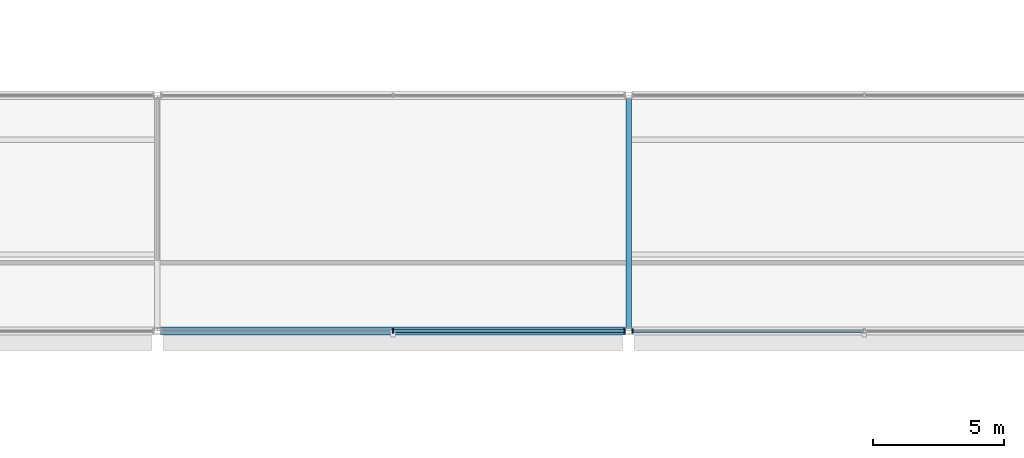
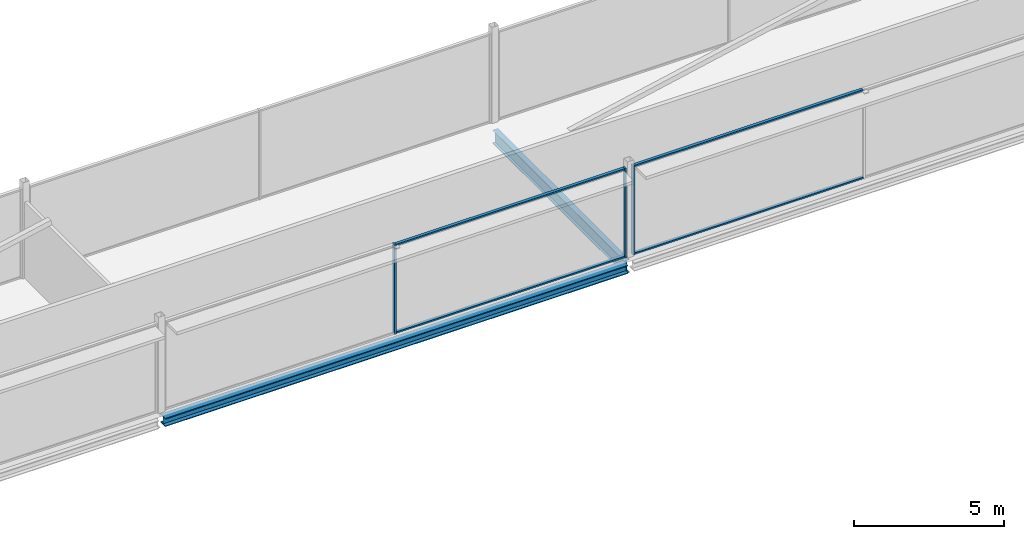
# One storey, part 24 of 98: 7 members, 2 beams, 2 elements without a shape of their own.
"""IFC4 building model written with IfcOpenShell, lengths in metres."""

import ifcopenshell
import ifcopenshell.guid

model = None  # the IFC model being written
_history = None  # IfcOwnerHistory: only IFC2X3 demands one
_inside = {}  # id of a spatial element -> (the spatial element, [elements in it])
_under = {}  # id of a project, library or spatial element -> (it, [spatial elements below it])
_declared = {}  # id of a project -> (the project, [libraries it declares])
_typed = {}  # id of a type object -> (the type object, [elements of that type])
_made_of = {}  # id of a material, layer set ... -> (it, [elements and type objects made of it])


def new_model(schema):
    """Start an empty IFC model of exactly this schema.

    Asked for "IFC4X3", IfcOpenShell would pick the latest addendum, in which some entities
    have other attributes; the version numbers below select the first issue.
    IFC2X3 requires an IfcOwnerHistory on every rooted entity: one is made here for all.
    """
    global model, _history
    if schema == "IFC4X3":
        model = ifcopenshell.file(schema_version=(4, 3, 0, 0))
    else:
        model = ifcopenshell.file(schema=schema)
    _inside.clear()
    _under.clear()
    _declared.clear()
    _typed.clear()
    _made_of.clear()
    _history = None
    if model.schema == "IFC2X3":
        org = make("IfcOrganization", Name="unknown")
        user = make(
            "IfcPersonAndOrganization",
            ThePerson=make("IfcPerson", FamilyName="unknown"),
            TheOrganization=org,
        )
        app = make(
            "IfcApplication",
            ApplicationDeveloper=org,
            Version="unknown",
            ApplicationFullName="unknown",
            ApplicationIdentifier="unknown",
        )
        _history = make(
            "IfcOwnerHistory",
            OwningUser=user,
            OwningApplication=app,
            ChangeAction="ADDED",
            CreationDate=0,
        )
    return model


def make(cls, **values):
    """One entity of the class cls with the attributes given. An attribute that is None is left unset."""
    return model.create_entity(
        cls, **{name: value for name, value in values.items() if value is not None}
    )


def rooted(cls, **values):
    """An entity with a GlobalId (a new one), such as an element, a storey or a relation."""
    return make(cls, GlobalId=ifcopenshell.guid.new(), OwnerHistory=_history, **values)


def si_unit(unit_type, name, prefix=None):
    """IfcSIUnit, for example si_unit("LENGTHUNIT", "METRE", prefix="MILLI")."""
    return make("IfcSIUnit", UnitType=unit_type, Prefix=prefix, Name=name)


def assignment(units):
    """IfcUnitAssignment: the units of a project."""
    return None if units is None else make("IfcUnitAssignment", Units=units)


def point(xyz):
    """IfcCartesianPoint."""
    return None if xyz is None else make("IfcCartesianPoint", Coordinates=xyz)


def direction(xyz):
    """IfcDirection."""
    return None if xyz is None else make("IfcDirection", DirectionRatios=xyz)


def frame(location, z_axis=None, x_axis=None):
    """IfcAxis2Placement3D, a coordinate frame: its origin and axes. An axis left out is left unset."""
    return make(
        "IfcAxis2Placement3D",
        Location=point(location),
        Axis=direction(z_axis),
        RefDirection=direction(x_axis),
    )


def frame_2d(location, x_axis=None):
    """IfcAxis2Placement2D, a coordinate frame in the plane: its origin and x axis."""
    return make(
        "IfcAxis2Placement2D", Location=point(location), RefDirection=direction(x_axis)
    )


def origin():
    """The frame at (0, 0, 0) with its axes left unset."""
    return frame((0.0, 0.0, 0.0))


def origin_2d():
    """The frame at (0, 0) in the plane with its x axis left unset."""
    return frame_2d((0.0, 0.0))


def place(relative_to, where):
    """IfcLocalPlacement: puts the frame where relative to a parent placement (None: the world)."""
    return make(
        "IfcLocalPlacement", PlacementRelTo=relative_to, RelativePlacement=where
    )


def context(
    kind, dimensions, precision=None, world=None, true_north=None, identifier=None
):
    """IfcGeometricRepresentationContext, for example the 3D "Model" context."""
    return make(
        "IfcGeometricRepresentationContext",
        ContextIdentifier=identifier,
        ContextType=kind,
        CoordinateSpaceDimension=dimensions,
        Precision=precision,
        WorldCoordinateSystem=world,
        TrueNorth=true_north,
    )


def subcontext(parent, identifier, kind, view, scale=None):
    """IfcGeometricRepresentationSubContext, for example "Body" below "Model"."""
    return make(
        "IfcGeometricRepresentationSubContext",
        ContextIdentifier=identifier,
        ContextType=kind,
        ParentContext=parent,
        TargetScale=scale,
        TargetView=view,
    )


def project(units=None, contexts=None):
    """IfcProject with its units and contexts."""
    return rooted(
        "IfcProject",
        Name="project",
        RepresentationContexts=contexts,
        UnitsInContext=assignment(units),
    )


def spatial(cls, under=None, at=None, **own):
    """A site, building, storey or space (cls), placed at a placement, below another one or the project."""
    s = rooted(cls, ObjectPlacement=at, **own)
    if under is not None:
        _under.setdefault(under.id(), (under, []))[1].append(s)
    return s


def profile(cls, at=None, kind="AREA", **sizes):
    """A parametric profile (cls). Its sizes go by their IFC names, for example OverallWidth=200.0."""
    return make(cls, ProfileType=kind, Position=at, **sizes)


def rectangle(**sizes):
    """IfcRectangleProfileDef."""
    return profile("IfcRectangleProfileDef", **sizes)


def i_section(**sizes):
    """IfcIShapeProfileDef."""
    return profile("IfcIShapeProfileDef", **sizes)


def extrude(swept, where, along, depth):
    """IfcExtrudedAreaSolid: the profile swept, set in the frame where, extruded along a direction by depth."""
    return make(
        "IfcExtrudedAreaSolid",
        SweptArea=swept,
        Position=where,
        ExtrudedDirection=direction(along),
        Depth=depth,
    )


def shape(context_of_items, identifier, shape_type, items):
    """IfcShapeRepresentation: the items that make up one representation, for example the "Body"."""
    return make(
        "IfcShapeRepresentation",
        ContextOfItems=context_of_items,
        RepresentationIdentifier=identifier,
        RepresentationType=shape_type,
        Items=items,
    )


def material(Name=None, Category=None):
    """IfcMaterial."""
    return make("IfcMaterial", Name=Name, Category=Category)


def layer(
    of_material, thickness, ventilated=None, Name=None, Category=None, Priority=None
):
    """IfcMaterialLayer: one layer of a wall or slab, of a material (None: an air gap)."""
    return make(
        "IfcMaterialLayer",
        Material=of_material,
        LayerThickness=thickness,
        IsVentilated=ventilated,
        Name=Name,
        Category=Category,
        Priority=Priority,
    )


def layer_set(layers, Name=None):
    """IfcMaterialLayerSet."""
    return make("IfcMaterialLayerSet", MaterialLayers=layers, LayerSetName=Name)


def material_profile(
    of_material, cross_section, Name=None, Category=None, Priority=None
):
    """IfcMaterialProfile: a cross section and its material."""
    return make(
        "IfcMaterialProfile",
        Name=Name,
        Material=of_material,
        Profile=cross_section,
        Priority=Priority,
        Category=Category,
    )


def profile_set(profiles, Name=None, composite=None):
    """IfcMaterialProfileSet."""
    return make(
        "IfcMaterialProfileSet",
        Name=Name,
        MaterialProfiles=profiles,
        CompositeProfile=composite,
    )


def made_of(thing, what):
    """Note that an element or type object is made of a material, layer set ...; save() writes the relation."""
    if what is not None:
        _made_of.setdefault(what.id(), (what, []))[1].append(thing)
    return thing


def type_object(cls, material=None, **own):
    """A type object (cls), such as IfcWallType, which elements share."""
    return made_of(rooted(cls, **own), material)


def element(
    cls,
    number,
    at=None,
    inside=None,
    cuts=None,
    type_object=None,
    material=None,
    context=None,
    identifier="Body",
    shape_type=None,
    held_by="IfcProductDefinitionShape",
    body=None,
    shapes=None,
    **own,
):
    """One element of the class cls, such as IfcWall. Its Tag is "e" and its number.

    at: its placement. inside: the storey or other place that contains it. cuts: it is an
    opening in that element (IfcRelVoidsElement). A single representation is given by context,
    identifier, shape_type and body (its items); several are given by shapes. held_by: the class
    of the entity that holds the representations. save() writes the other relations.
    """
    e = rooted(cls, Tag="e%d" % number, ObjectPlacement=at, **own)
    if body is not None:
        shapes = [shape(context, identifier, shape_type, body)]
    if shapes is not None:
        e.Representation = make(held_by, Representations=shapes)
    if inside is not None:
        _inside.setdefault(inside.id(), (inside, []))[1].append(e)
    if cuts is not None:
        rooted(
            "IfcRelVoidsElement", RelatingBuildingElement=cuts, RelatedOpeningElement=e
        )
    if type_object is not None:
        _typed.setdefault(type_object.id(), (type_object, []))[1].append(e)
    return made_of(e, material)


def aggregate(whole, parts):
    """IfcRelAggregates: a whole, such as a stair, and the parts it consists of."""
    return rooted("IfcRelAggregates", RelatingObject=whole, RelatedObjects=parts)


def save(model, path):
    """Write the relations noted so far, then the file.

    IfcRelAggregates (storeys below a building ...), IfcRelContainedInSpatialStructure (elements
    in a storey), IfcRelDefinesByType, IfcRelAssociatesMaterial and IfcRelDeclares: one each for
    every whole, place, type object, material and project.
    """
    for whole, parts in _under.values():
        aggregate(whole, parts)
    for where, things in _inside.values():
        rooted(
            "IfcRelContainedInSpatialStructure",
            RelatedElements=things,
            RelatingStructure=where,
        )
    for kind, things in _typed.values():
        rooted("IfcRelDefinesByType", RelatedObjects=things, RelatingType=kind)
    for what, things in _made_of.values():
        rooted("IfcRelAssociatesMaterial", RelatedObjects=things, RelatingMaterial=what)
    for by, libraries in _declared.values():
        rooted("IfcRelDeclares", RelatingContext=by, RelatedDefinitions=libraries)
    model.write(path)


model = new_model("IFC4")

# Units and contexts
model_context = context("Model", 3, precision=1e-05, world=origin(), true_north=direction((0.0, 1.0)))
body_context = subcontext(model_context, "Body", "Model", "MODEL_VIEW")
ifc_project = project(units=[si_unit("LENGTHUNIT", "METRE"), si_unit("AREAUNIT", "SQUARE_METRE"), si_unit("VOLUMEUNIT", "CUBIC_METRE"), si_unit("PLANEANGLEUNIT", "RADIAN"), si_unit("MASSUNIT", "GRAM", prefix="KILO")], contexts=[model_context])

# Site, building, storey
site_placement = place(None, origin())
site = spatial("IfcSite", under=ifc_project, at=site_placement, CompositionType="ELEMENT")
building_placement = place(site_placement, origin())
building = spatial("IfcBuilding", under=site, at=building_placement, Name="Kisiwana Market Hall", CompositionType="ELEMENT")
storey_placement = place(building_placement, frame((0.0, 0.0, 29.39990234375)))
storey = spatial("IfcBuildingStorey", under=building, at=storey_placement, Name="L06", CompositionType="ELEMENT", Elevation=29.39990234375)

# Beams
ifc_material_1 = material(Name="Steel S355", Category="steel")
ifc_material_profile_1 = material_profile(ifc_material_1, i_section(OverallWidth=0.209228515625, OverallDepth=0.533203125, WebThickness=0.010009765625, FlangeThickness=0.015625, at=origin_2d()), Name="UB 533x210x92")
ifc_profile_set_1 = profile_set([ifc_material_profile_1], Name="Steel S355")
beam_type_1 = type_object("IfcBeamType", Name="BM-GIRD-UB533", PredefinedType="BEAM", material=ifc_profile_set_1)
beam_1_placement = place(storey_placement, frame((117.0, 18.12109375, -0.531494140625), z_axis=(0.0, 1.0, 0.0), x_axis=(-1.0, 0.0, 0.0)))
element("IfcBeam", 1, at=beam_1_placement, inside=storey, type_object=beam_type_1, Name="Primary girder B-1725", PredefinedType="BEAM", context=body_context, shape_type="SweptSolid", body=[
    extrude(i_section(OverallWidth=0.209228515625, OverallDepth=0.533203125, WebThickness=0.010009765625, FlangeThickness=0.015625, at=origin_2d()), origin(), (0.0, 0.0, 1.0), 8.7578125),
])
ifc_material_2 = material(Name="Steel S355", Category="steel")
ifc_material_profile_2 = material_profile(ifc_material_2, i_section(OverallWidth=0.314453125, OverallDepth=0.33984375, WebThickness=0.01904296875, FlangeThickness=0.031494140625, at=origin_2d()), Name="UC 305x305x198")
ifc_profile_set_2 = profile_set([ifc_material_profile_2], Name="Steel S355")
beam_type_2 = type_object("IfcBeamType", Name="BM-SKYBR-CHORD", PredefinedType="BEAM", material=ifc_profile_set_2)
beam_2_placement = place(storey_placement, frame((99.12109375, 18.0, -0.434814453125), z_axis=(1.0, 0.0, 0.0), x_axis=(0.0, 1.0, 0.0)))
element("IfcBeam", 2, at=beam_2_placement, inside=storey, type_object=beam_type_2, Name="Floor beam B-1790", PredefinedType="BEAM", context=body_context, shape_type="SweptSolid", body=[
    extrude(i_section(OverallWidth=0.314453125, OverallDepth=0.33984375, WebThickness=0.01904296875, FlangeThickness=0.031494140625, at=origin_2d()), origin(), (0.0, 0.0, 1.0), 17.7578125),
])

# Curtain wall, members
ifc_material_3 = material(Name="Double-glazed solar-control low-E IGU", Category="glass")
ifc_layer = layer(ifc_material_3, 0.159912109375)
ifc_layer_set = layer_set([ifc_layer], Name="CW-ZNA-EW-8200")
curtain_wall_type = type_object("IfcCurtainWallType", Name="CW-ZNA-EW-8200", PredefinedType="USERDEFINED", material=ifc_layer_set)
curtain_wall_1_placement = place(storey_placement, origin())
curtain_wall_1 = element("IfcCurtainWall", 3, at=curtain_wall_1_placement, inside=storey, type_object=curtain_wall_type, Name="Unitised curtain wall CW-175 (L06)", ObjectType="UNITISED CURTAIN WALL", PredefinedType="USERDEFINED")
ifc_material_4 = material(Name="Aluminium alloy 6063-T6", Category="aluminium")
ifc_material_profile_3 = material_profile(ifc_material_4, rectangle(XDim=0.06005859375, YDim=0.159912109375, at=origin_2d()), Name="ALU MULLION 60x160")
ifc_profile_set_3 = profile_set([ifc_material_profile_3], Name="Aluminium alloy 6063-T6")
member_type_1 = type_object("IfcMemberType", Name="CW-MULL-60x160", PredefinedType="MULLION", material=ifc_profile_set_3)
member_1_placement = place(storey_placement, frame((108.0, 18.0, 0.0), z_axis=(0.0, 0.0, 1.0), x_axis=(1.0, 0.0, 0.0)))
member_1 = element("IfcMember", 4, at=member_1_placement, type_object=member_type_1, Name="CW-175 mullion 2", PredefinedType="MULLION", context=body_context, shape_type="SweptSolid", body=[
    extrude(rectangle(XDim=0.06005859375, YDim=0.159912109375, at=origin_2d()), origin(), (0.0, 0.0, 1.0), 3.6201171875),
])
member_2_placement = place(storey_placement, frame((116.844970703125, 18.0, 0.0), z_axis=(0.0, 0.0, 1.0), x_axis=(1.0, 0.0, 0.0)))
member_2 = element("IfcMember", 5, at=member_2_placement, type_object=member_type_1, Name="CW-175 mullion 3", PredefinedType="MULLION", context=body_context, shape_type="SweptSolid", body=[
    extrude(rectangle(XDim=0.06005859375, YDim=0.159912109375, at=origin_2d()), origin(), (0.0, 0.0, 1.0), 3.6201171875),
])

# Curtain wall, member
curtain_wall_2_placement = place(storey_placement, origin())
curtain_wall_2 = element("IfcCurtainWall", 6, at=curtain_wall_2_placement, inside=storey, type_object=curtain_wall_type, Name="Unitised curtain wall CW-176 (L06)", ObjectType="UNITISED CURTAIN WALL", PredefinedType="USERDEFINED")
member_3_placement = place(storey_placement, frame((117.155029296875, 18.0, 0.0), z_axis=(0.0, 0.0, 1.0), x_axis=(1.0, 0.0, 0.0)))
member_3 = element("IfcMember", 7, at=member_3_placement, type_object=member_type_1, Name="CW-176 mullion 1", PredefinedType="MULLION", context=body_context, shape_type="SweptSolid", body=[
    extrude(rectangle(XDim=0.06005859375, YDim=0.159912109375, at=origin_2d()), origin(), (0.0, 0.0, 1.0), 3.6201171875),
])

# Member
ifc_material_5 = material(Name="Aluminium alloy 6063-T6", Category="aluminium")
ifc_material_profile_4 = material_profile(ifc_material_5, rectangle(XDim=0.1201171875, YDim=0.06005859375, at=origin_2d()), Name="ALU TRANSOM 60x120")
ifc_profile_set_4 = profile_set([ifc_material_profile_4], Name="Aluminium alloy 6063-T6")
member_type_2 = type_object("IfcMemberType", Name="CW-TRAN-60x120", PredefinedType="USERDEFINED", material=ifc_profile_set_4)
member_4_placement = place(storey_placement, frame((108.030029296875, 18.0, 0.030029296875), z_axis=(1.0, 0.0, 0.0), x_axis=(0.0, 1.0, 0.0)))
member_4 = element("IfcMember", 8, at=member_4_placement, type_object=member_type_2, Name="CW-175 transom 2.1", ObjectType="TRANSOM", PredefinedType="USERDEFINED", context=body_context, shape_type="SweptSolid", body=[
    extrude(rectangle(XDim=0.1201171875, YDim=0.06005859375, at=origin_2d()), origin(), (0.0, 0.0, 1.0), 8.784912109375),
])

member_5_placement = place(storey_placement, frame((108.030029296875, 18.0, 3.590087890625), z_axis=(1.0, 0.0, 0.0), x_axis=(0.0, 1.0, 0.0)))
member_5 = element("IfcMember", 9, at=member_5_placement, type_object=member_type_2, Name="CW-175 transom 2.2", ObjectType="TRANSOM", PredefinedType="USERDEFINED", context=body_context, shape_type="SweptSolid", body=[
    extrude(rectangle(XDim=0.1201171875, YDim=0.06005859375, at=origin_2d()), origin(), (0.0, 0.0, 1.0), 8.784912109375),
])

aggregate(curtain_wall_1, [member_1, member_2, member_4, member_5])

member_6_placement = place(storey_placement, frame((117.18505859375, 18.0, 0.030029296875), z_axis=(1.0, 0.0, 0.0), x_axis=(0.0, 1.0, 0.0)))
member_6 = element("IfcMember", 10, at=member_6_placement, type_object=member_type_2, Name="CW-176 transom 1.1", ObjectType="TRANSOM", PredefinedType="USERDEFINED", context=body_context, shape_type="SweptSolid", body=[
    extrude(rectangle(XDim=0.1201171875, YDim=0.06005859375, at=origin_2d()), origin(), (0.0, 0.0, 1.0), 8.784912109375),
])

member_7_placement = place(storey_placement, frame((117.18505859375, 18.0, 3.590087890625), z_axis=(1.0, 0.0, 0.0), x_axis=(0.0, 1.0, 0.0)))
member_7 = element("IfcMember", 11, at=member_7_placement, type_object=member_type_2, Name="CW-176 transom 1.2", ObjectType="TRANSOM", PredefinedType="USERDEFINED", context=body_context, shape_type="SweptSolid", body=[
    extrude(rectangle(XDim=0.1201171875, YDim=0.06005859375, at=origin_2d()), origin(), (0.0, 0.0, 1.0), 8.784912109375),
])

aggregate(curtain_wall_2, [member_3, member_6, member_7])

save(model, "model.ifc")
